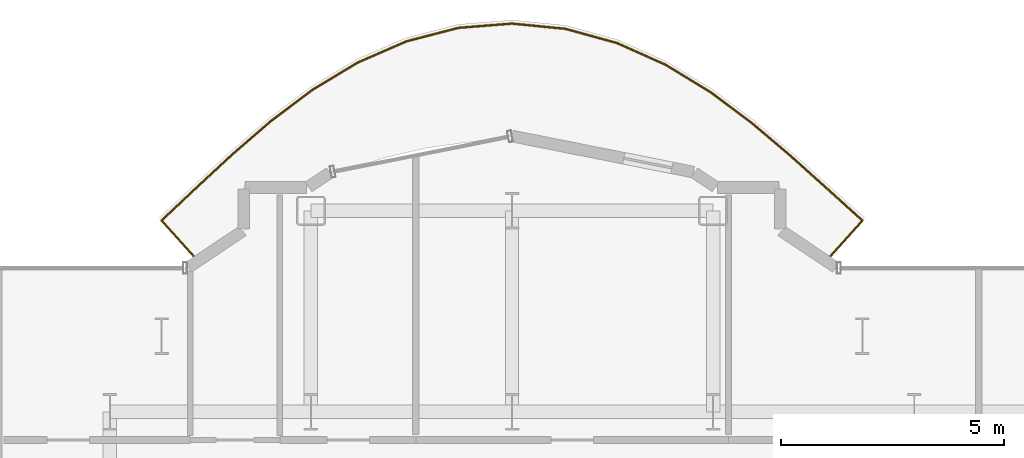
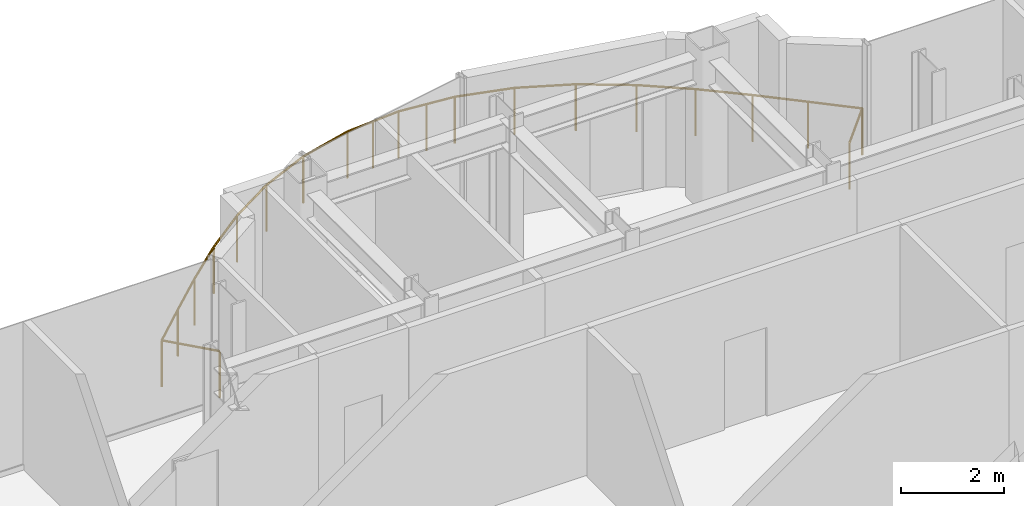
# One storey, part 21 of 21: 1 railing.
"""IFC4 building model written with IfcOpenShell, lengths in metres."""

from ifc_helpers import new_model, si_unit, direction, frame, origin, origin_2d, place, context, subcontext, project, spatial, circle, extrude, material, type_object, element, save


model = new_model("IFC4")

# Units and contexts
model_context = context("Model", 3, precision=1e-05, world=origin(), true_north=direction((0.0, 1.0)))
body_context = subcontext(model_context, "Body", "Model", "MODEL_VIEW")
ifc_project = project(units=[si_unit("LENGTHUNIT", "METRE"), si_unit("AREAUNIT", "SQUARE_METRE"), si_unit("VOLUMEUNIT", "CUBIC_METRE"), si_unit("PLANEANGLEUNIT", "RADIAN"), si_unit("MASSUNIT", "GRAM", prefix="KILO")], contexts=[model_context])

# Site, building, storey
site_placement = place(None, origin())
site = spatial("IfcSite", under=ifc_project, at=site_placement, CompositionType="ELEMENT")
building_placement = place(site_placement, origin())
building = spatial("IfcBuilding", under=site, at=building_placement, Name="Nefas-Gora Pilgrimage Tower", CompositionType="ELEMENT")
storey_placement = place(building_placement, frame((0.0, 0.0, 256.0)))
storey = spatial("IfcBuildingStorey", under=building, at=storey_placement, Name="L64", CompositionType="ELEMENT", Elevation=256.0)

# Railing
ifc_material = material(Name="Laminated safety glass and stainless steel", Category="steel")
railing_type = type_object("IfcRailingType", Name="RLG-BAL-1100", PredefinedType="BALUSTRADE", material=ifc_material)
railing_placement = place(storey_placement, frame((4.802490234375, 21.402587890625, 0.0)))
element("IfcRailing", 1, at=railing_placement, inside=storey, type_object=railing_type, Name="L64 Wave Balcony Balustrade N1", PredefinedType="BALUSTRADE", context=body_context, shape_type="SweptSolid", body=[
    extrude(circle(Radius=0.02392578125, at=origin_2d()), frame((0.0, 0.0, 1.09619140625), z_axis=(0.669113274241, 0.74316043102, 0.0), x_axis=(-0.74316043102, 0.669113274241, 0.0)), (0.0, 0.0, 1.0), 1.180419921875),
    extrude(circle(Radius=0.02392578125, at=origin_2d()), frame((0.789794921875, 0.877197265625, 1.09619140625), z_axis=(-0.741691494507, 0.670741177337, 0.0), x_axis=(-0.670741177337, -0.741691494507, 0.0)), (0.0, 0.0, 1.0), 1.0771484375),
    extrude(circle(Radius=0.02392578125, at=origin_2d()), frame((-0.009033203125, 1.599609375, 1.09619140625), z_axis=(-0.744512131343, 0.667608932147, 0.0), x_axis=(-0.667608932147, -0.744512131343, 0.0)), (0.0, 0.0, 1.0), 1.09521484375),
    extrude(circle(Radius=0.02392578125, at=origin_2d()), frame((-0.824462890625, 2.330810546875, 1.09619140625), z_axis=(-0.763015425676, 0.64638027521, 0.0), x_axis=(-0.64638027521, -0.763015425676, 0.0)), (0.0, 0.0, 1.0), 1.1240234375),
    extrude(circle(Radius=0.02392578125, at=origin_2d()), frame((-1.68212890625, 3.057373046875, 1.09619140625), z_axis=(-0.800735220579, 0.599018452574, 0.0), x_axis=(-0.599018452574, -0.800735220579, 0.0)), (0.0, 0.0, 1.0), 1.154541015625),
    extrude(circle(Radius=0.02392578125, at=origin_2d()), frame((-2.606689453125, 3.7490234375, 1.09619140625), z_axis=(-0.853742280901, 0.520695801598, 0.0), x_axis=(-0.520695801598, -0.853742280901, 0.0)), (0.0, 0.0, 1.0), 1.1787109375),
    extrude(circle(Radius=0.02392578125, at=origin_2d()), frame((-3.613037109375, 4.36279296875, 1.09619140625), z_axis=(-0.912533024613, 0.409003030539, 0.0), x_axis=(-0.409003030539, -0.912533024613, 0.0)), (0.0, 0.0, 1.0), 1.193115234375),
    extrude(circle(Radius=0.02392578125, at=origin_2d()), frame((-4.701904296875, 4.850830078125, 1.09619140625), z_axis=(-0.964107720996, 0.265511397715, 0.0), x_axis=(-0.265511397715, -0.964107720996, 0.0)), (0.0, 0.0, 1.0), 1.198974609375),
    extrude(circle(Radius=0.02392578125, at=origin_2d()), frame((-5.85791015625, 5.169189453125, 1.09619140625), z_axis=(-0.99518310835, 0.098033570044, 0.0), x_axis=(-0.098033570044, -0.99518310835, 0.0)), (0.0, 0.0, 1.0), 1.200439453125),
    extrude(circle(Radius=0.02392578125, at=origin_2d()), frame((-7.052490234375, 5.286865234375, 1.09619140625), z_axis=(-0.996817864329, -0.079712893272, 0.0), x_axis=(0.079712893272, -0.996817864329, 0.0)), (0.0, 0.0, 1.0), 1.20068359375),
    extrude(circle(Radius=0.02392578125, at=origin_2d()), frame((-8.249267578125, 5.191162109375, 1.09619140625), z_axis=(-0.96811032682, -0.250524240554, 0.0), x_axis=(0.250524240554, -0.96811032682, 0.0)), (0.0, 0.0, 1.0), 1.19970703125),
    extrude(circle(Radius=0.02392578125, at=origin_2d()), frame((-9.41064453125, 4.890625, 1.09619140625), z_axis=(-0.917018073476, -0.398845650496, 0.0), x_axis=(0.398845650496, -0.917018073476, 0.0)), (0.0, 0.0, 1.0), 1.19482421875),
    extrude(circle(Radius=0.02392578125, at=origin_2d()), frame((-10.50634765625, 4.4140625, 1.09619140625), z_axis=(-0.856288410146, -0.516497975455, 0.0), x_axis=(0.516497975455, -0.856288410146, 0.0)), (0.0, 0.0, 1.0), 1.1826171875),
    extrude(circle(Radius=0.02392578125, at=origin_2d()), frame((-11.51904296875, 3.80322265625, 1.09619140625), z_axis=(-0.799393735848, -0.600807502522, 0.0), x_axis=(0.600807502522, -0.799393735848, 0.0)), (0.0, 0.0, 1.0), 1.16064453125),
    extrude(circle(Radius=0.02392578125, at=origin_2d()), frame((-12.44677734375, 3.10595703125, 1.09619140625), z_axis=(-0.756920087297, -0.653507445593, 0.0), x_axis=(0.653507445593, -0.756920087297, 0.0)), (0.0, 0.0, 1.0), 1.130859375),
    extrude(circle(Radius=0.02392578125, at=origin_2d()), frame((-13.302734375, 2.366943359375, 1.09619140625), z_axis=(-0.733756578496, -0.679412454635, 0.0), x_axis=(0.679412454635, -0.733756578496, 0.0)), (0.0, 0.0, 1.0), 1.1005859375),
    extrude(circle(Radius=0.02392578125, at=origin_2d()), frame((-14.1103515625, 1.619140625, 1.09619140625), z_axis=(-0.727934382881, -0.685646799905, 0.0), x_axis=(0.685646799905, -0.727934382881, 0.0)), (0.0, 0.0, 1.0), 1.07958984375),
    extrude(circle(Radius=0.02392578125, at=origin_2d()), frame((-14.896240234375, 0.87890625, 1.09619140625), z_axis=(0.669078780144, -0.743191486739, 0.0), x_axis=(0.743191486739, 0.669078780144, 0.0)), (0.0, 0.0, 1.0), 1.1826171875),
    extrude(circle(Radius=0.02099609375, at=origin_2d()), origin(), (0.0, 0.0, 1.0), 1.072021484375),
    extrude(circle(Radius=0.02099609375, at=origin_2d()), frame((0.789794921875, 0.877197265625, 0.0)), (0.0, 0.0, 1.0), 1.072021484375),
    extrude(circle(Radius=0.02099609375, at=origin_2d()), frame((-0.009033203125, 1.599609375, 0.0)), (0.0, 0.0, 1.0), 1.072021484375),
    extrude(circle(Radius=0.02099609375, at=origin_2d()), frame((-0.824462890625, 2.330810546875, 0.0)), (0.0, 0.0, 1.0), 1.072021484375),
    extrude(circle(Radius=0.02099609375, at=origin_2d()), frame((-1.68212890625, 3.057373046875, 0.0)), (0.0, 0.0, 1.0), 1.072021484375),
    extrude(circle(Radius=0.02099609375, at=origin_2d()), frame((-2.606689453125, 3.7490234375, 0.0)), (0.0, 0.0, 1.0), 1.072021484375),
    extrude(circle(Radius=0.02099609375, at=origin_2d()), frame((-3.613037109375, 4.36279296875, 0.0)), (0.0, 0.0, 1.0), 1.072021484375),
    extrude(circle(Radius=0.02099609375, at=origin_2d()), frame((-4.701904296875, 4.850830078125, 0.0)), (0.0, 0.0, 1.0), 1.072021484375),
    extrude(circle(Radius=0.02099609375, at=origin_2d()), frame((-5.85791015625, 5.169189453125, 0.0)), (0.0, 0.0, 1.0), 1.072021484375),
    extrude(circle(Radius=0.02099609375, at=origin_2d()), frame((-6.455078125, 5.22802734375, 0.0)), (0.0, 0.0, 1.0), 1.072021484375),
    extrude(circle(Radius=0.02099609375, at=origin_2d()), frame((-7.052490234375, 5.286865234375, 0.0)), (0.0, 0.0, 1.0), 1.072021484375),
    extrude(circle(Radius=0.02099609375, at=origin_2d()), frame((-7.65087890625, 5.239013671875, 0.0)), (0.0, 0.0, 1.0), 1.072021484375),
    extrude(circle(Radius=0.02099609375, at=origin_2d()), frame((-8.249267578125, 5.191162109375, 0.0)), (0.0, 0.0, 1.0), 1.072021484375),
    extrude(circle(Radius=0.02099609375, at=origin_2d()), frame((-9.41064453125, 4.890625, 0.0)), (0.0, 0.0, 1.0), 1.072021484375),
    extrude(circle(Radius=0.02099609375, at=origin_2d()), frame((-10.50634765625, 4.4140625, 0.0)), (0.0, 0.0, 1.0), 1.072021484375),
    extrude(circle(Radius=0.02099609375, at=origin_2d()), frame((-11.51904296875, 3.80322265625, 0.0)), (0.0, 0.0, 1.0), 1.072021484375),
    extrude(circle(Radius=0.02099609375, at=origin_2d()), frame((-12.44677734375, 3.10595703125, 0.0)), (0.0, 0.0, 1.0), 1.072021484375),
    extrude(circle(Radius=0.02099609375, at=origin_2d()), frame((-13.302734375, 2.366943359375, 0.0)), (0.0, 0.0, 1.0), 1.072021484375),
    extrude(circle(Radius=0.02099609375, at=origin_2d()), frame((-14.1103515625, 1.619140625, 0.0)), (0.0, 0.0, 1.0), 1.072021484375),
    extrude(circle(Radius=0.02099609375, at=origin_2d()), frame((-14.896240234375, 0.87890625, 0.0)), (0.0, 0.0, 1.0), 1.072021484375),
    extrude(circle(Radius=0.02099609375, at=origin_2d()), frame((-14.10498046875, 0.0, 0.0)), (0.0, 0.0, 1.0), 1.072021484375),
])

save(model, "model.ifc")
